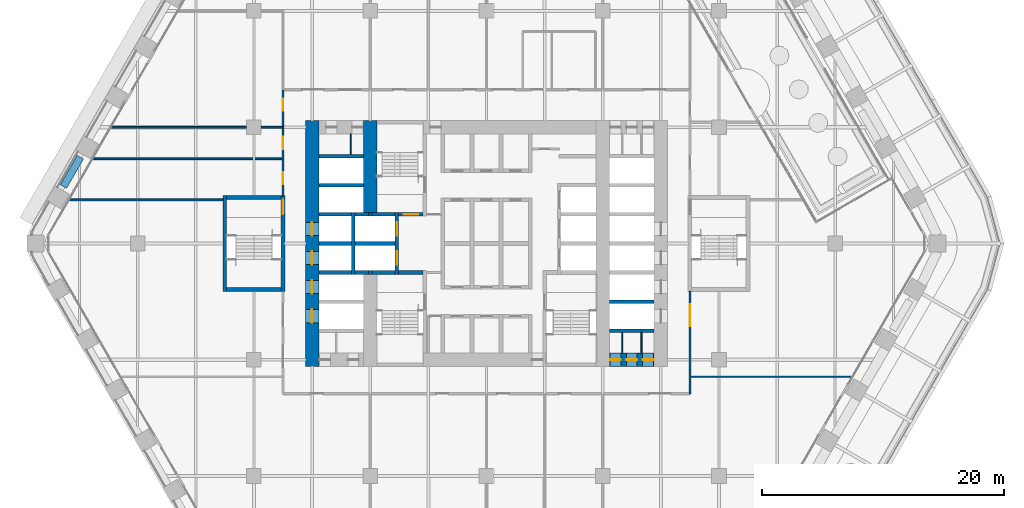
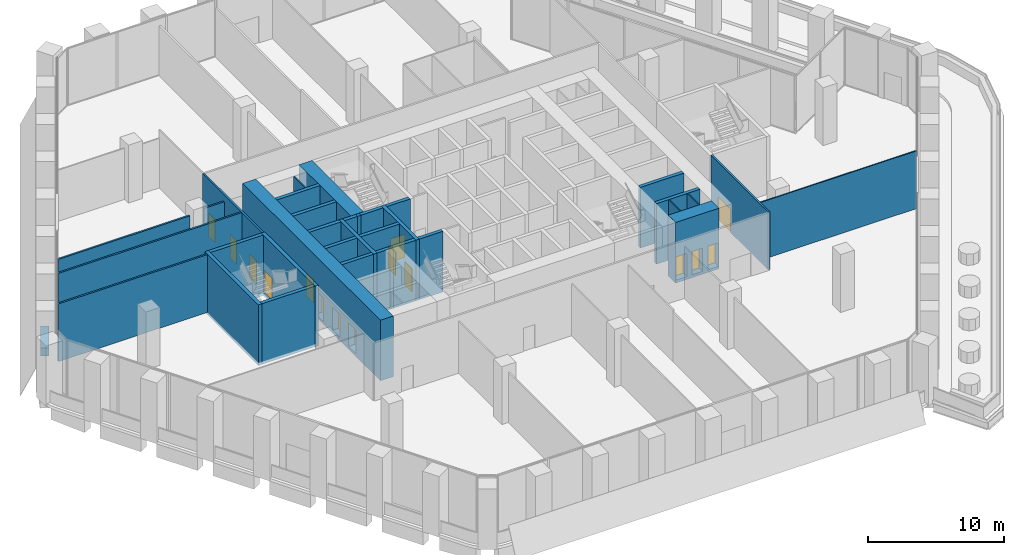
# One storey, part 21 of 32: 36 walls, 15 doors, 15 openings.
"""IFC4 building model written with IfcOpenShell, lengths in metres."""

from ifc_helpers import new_model, si_unit, direction, frame, frame_2d, origin, place, context, subcontext, project, spatial, rectangle, extrude, material, layer, layer_set, type_object, element, fill, save


model = new_model("IFC4")

# Units and contexts
model_context = context("Model", 3, precision=1e-05, world=origin(), true_north=direction((0.0, 1.0)))
body_context = subcontext(model_context, "Body", "Model", "MODEL_VIEW")
ifc_project = project(units=[si_unit("LENGTHUNIT", "METRE"), si_unit("AREAUNIT", "SQUARE_METRE"), si_unit("VOLUMEUNIT", "CUBIC_METRE"), si_unit("PLANEANGLEUNIT", "RADIAN"), si_unit("MASSUNIT", "GRAM", prefix="KILO")], contexts=[model_context])

# Site, building, storey
site_placement = place(None, origin())
site = spatial("IfcSite", under=ifc_project, at=site_placement, CompositionType="ELEMENT")
building_placement = place(site_placement, origin())
building = spatial("IfcBuilding", under=site, at=building_placement, Name="Kolab Exchange Tower", CompositionType="ELEMENT")
storey_placement = place(building_placement, frame((0.0, 0.0, 60.89990234375)))
storey = spatial("IfcBuildingStorey", under=building, at=storey_placement, Name="L11", CompositionType="ELEMENT", Elevation=60.89990234375)

# Wall, openings, doors
ifc_material_1 = material(Name="Concrete C80/95", Category="concrete")
ifc_layer_1 = layer(ifc_material_1, 1.10009765625)
ifc_layer_set_1 = layer_set([ifc_layer_1], Name="Concrete C80/95")
wall_type_1 = type_object("IfcWallType", Name="CORE WALL 1100 C80/95", PredefinedType="SHEAR", material=ifc_layer_set_1)
wall_1_placement = place(storey_placement, frame((10.14990234375, -9.60009765625, -0.25), z_axis=(0.0, 0.0, 1.0), x_axis=(1.0, 0.0, 0.0)))
wall_1 = element("IfcWall", 1, at=wall_1_placement, inside=storey, type_object=wall_type_1, Name="wall/L11/core/004", PredefinedType="SHEAR", context=body_context, shape_type="SweptSolid", body=[
    extrude(rectangle(XDim=3.7001953125, YDim=1.10009765625, at=frame_2d((1.85009765625, 0.0))), origin(), (0.0, 0.0, 1.0), 5.4501953125),
])
opening_1_placement = place(wall_1_placement, frame((0.050048828125, 0.0, 0.25)))
opening_1 = element("IfcOpeningElement", 2, at=opening_1_placement, cuts=wall_1, Name="Opening D6-138", PredefinedType="OPENING", context=body_context, shape_type="SweptSolid", body=[
    extrude(rectangle(XDim=0.89990234375, YDim=2.10009765625, at=frame_2d((0.449951171875, 1.050048828125))), frame((0.0, 0.56005859375, 0.0), z_axis=(0.0, -1.0, 0.0), x_axis=(1.0, 0.0, 0.0)), (0.0, 0.0, 1.0), 1.1201171875),
])
opening_2_placement = place(wall_1_placement, frame((1.39990234375, 0.0, 0.25)))
opening_2 = element("IfcOpeningElement", 3, at=opening_2_placement, cuts=wall_1, Name="Opening D6-139", PredefinedType="OPENING", context=body_context, shape_type="SweptSolid", body=[
    extrude(rectangle(XDim=0.89990234375, YDim=2.10009765625, at=frame_2d((0.449951171875, 1.050048828125))), frame((0.0, 0.56005859375, 0.0), z_axis=(0.0, -1.0, 0.0), x_axis=(1.0, 0.0, 0.0)), (0.0, 0.0, 1.0), 1.1201171875),
])
opening_3_placement = place(wall_1_placement, frame((2.75, 0.0, 0.25)))
opening_3 = element("IfcOpeningElement", 4, at=opening_3_placement, cuts=wall_1, Name="Opening D6-140", PredefinedType="OPENING", context=body_context, shape_type="SweptSolid", body=[
    extrude(rectangle(XDim=0.89990234375, YDim=2.10009765625, at=frame_2d((0.449951171875, 1.050048828125))), frame((0.0, 0.56005859375, 0.0), z_axis=(0.0, -1.0, 0.0), x_axis=(1.0, 0.0, 0.0)), (0.0, 0.0, 1.0), 1.1201171875),
])
ifc_material_2 = material(Name="Steel S235", Category="steel")
door_type_1 = type_object("IfcDoorType", Name="CORE DOOR 900 EI 120", OperationType="SINGLE_SWING_LEFT", PredefinedType="DOOR", material=ifc_material_2)
door_1_placement = place(opening_1_placement, origin())
door_1 = element("IfcDoor", 5, at=door_1_placement, inside=storey, type_object=door_type_1, Name="Service room door", OperationType="SINGLE_SWING_RIGHT", OverallHeight=2.10009765625, OverallWidth=0.89990234375, PredefinedType="DOOR", context=body_context, shape_type="SweptSolid", body=[
    extrude(rectangle(XDim=0.89990234375, YDim=2.10009765625, at=frame_2d((0.449951171875, 1.050048828125))), frame((0.0, 0.02490234375, 0.0), z_axis=(0.0, -1.0, 0.0), x_axis=(1.0, 0.0, 0.0)), (0.0, 0.0, 1.0), 0.050048828125),
])
fill(opening_1, door_1)
door_2_placement = place(opening_2_placement, origin())
door_2 = element("IfcDoor", 6, at=door_2_placement, inside=storey, type_object=door_type_1, Name="Service room door", OperationType="SINGLE_SWING_LEFT", OverallHeight=2.10009765625, OverallWidth=0.89990234375, PredefinedType="DOOR", context=body_context, shape_type="SweptSolid", body=[
    extrude(rectangle(XDim=0.89990234375, YDim=2.10009765625, at=frame_2d((0.449951171875, 1.050048828125))), frame((0.0, 0.02490234375, 0.0), z_axis=(0.0, -1.0, 0.0), x_axis=(1.0, 0.0, 0.0)), (0.0, 0.0, 1.0), 0.050048828125),
])
fill(opening_2, door_2)
door_3_placement = place(opening_3_placement, origin())
door_3 = element("IfcDoor", 7, at=door_3_placement, inside=storey, type_object=door_type_1, Name="Service room door", OperationType="SINGLE_SWING_LEFT", OverallHeight=2.10009765625, OverallWidth=0.89990234375, PredefinedType="DOOR", context=body_context, shape_type="SweptSolid", body=[
    extrude(rectangle(XDim=0.89990234375, YDim=2.10009765625, at=frame_2d((0.449951171875, 1.050048828125))), frame((0.0, 0.02490234375, 0.0), z_axis=(0.0, -1.0, 0.0), x_axis=(1.0, 0.0, 0.0)), (0.0, 0.0, 1.0), 0.050048828125),
])
fill(opening_3, door_3)

wall_2_placement = place(storey_placement, frame((-14.39990234375, -10.14990234375, -0.25), z_axis=(0.0, 0.0, 1.0), x_axis=(0.0, 1.0, 0.0)))
wall_2 = element("IfcWall", 8, at=wall_2_placement, inside=storey, type_object=wall_type_1, Name="wall/L11/core/057", PredefinedType="SHEAR", context=body_context, shape_type="SweptSolid", body=[
    extrude(rectangle(XDim=20.2998046875, YDim=1.10009765625, at=frame_2d((10.14990234375, 0.0))), origin(), (0.0, 0.0, 1.0), 5.4501953125),
])
opening_4_placement = place(wall_2_placement, frame((3.60009765625, 0.0, 0.25)))
opening_4 = element("IfcOpeningElement", 9, at=opening_4_placement, cuts=wall_2, Name="Opening LD1-049", PredefinedType="OPENING", context=body_context, shape_type="SweptSolid", body=[
    extrude(rectangle(XDim=1.10009765625, YDim=2.10009765625, at=frame_2d((0.550048828125, 1.050048828125))), frame((0.0, 0.56005859375, 0.0), z_axis=(0.0, -1.0, 0.0), x_axis=(1.0, 0.0, 0.0)), (0.0, 0.0, 1.0), 1.1201171875),
])
opening_5_placement = place(wall_2_placement, frame((6.0, 0.0, 0.25)))
opening_5 = element("IfcOpeningElement", 10, at=opening_5_placement, cuts=wall_2, Name="Opening LD1-050", PredefinedType="OPENING", context=body_context, shape_type="SweptSolid", body=[
    extrude(rectangle(XDim=1.10009765625, YDim=2.10009765625, at=frame_2d((0.550048828125, 1.050048828125))), frame((0.0, 0.56005859375, 0.0), z_axis=(0.0, -1.0, 0.0), x_axis=(1.0, 0.0, 0.0)), (0.0, 0.0, 1.0), 1.1201171875),
])
opening_6_placement = place(wall_2_placement, frame((8.39990234375, 0.0, 0.25)))
opening_6 = element("IfcOpeningElement", 11, at=opening_6_placement, cuts=wall_2, Name="Opening LD1-051", PredefinedType="OPENING", context=body_context, shape_type="SweptSolid", body=[
    extrude(rectangle(XDim=1.10009765625, YDim=2.10009765625, at=frame_2d((0.550048828125, 1.050048828125))), frame((0.0, 0.56005859375, 0.0), z_axis=(0.0, -1.0, 0.0), x_axis=(1.0, 0.0, 0.0)), (0.0, 0.0, 1.0), 1.1201171875),
])
opening_7_placement = place(wall_2_placement, frame((10.800048828125, 0.0, 0.25)))
opening_7 = element("IfcOpeningElement", 12, at=opening_7_placement, cuts=wall_2, Name="Opening LD1-052", PredefinedType="OPENING", context=body_context, shape_type="SweptSolid", body=[
    extrude(rectangle(XDim=1.10009765625, YDim=2.10009765625, at=frame_2d((0.550048828125, 1.050048828125))), frame((0.0, 0.56005859375, 0.0), z_axis=(0.0, -1.0, 0.0), x_axis=(1.0, 0.0, 0.0)), (0.0, 0.0, 1.0), 1.1201171875),
])
ifc_material_3 = material(Name="Stainless steel 316", Category="steel")
door_type_2 = type_object("IfcDoorType", Name="LANDING DOOR 1100 PASSENGER", OperationType="DOUBLE_DOOR_SLIDING", PredefinedType="DOOR", material=ifc_material_3)
door_4_placement = place(opening_4_placement, origin())
door_4 = element("IfcDoor", 13, at=door_4_placement, inside=storey, type_object=door_type_2, Name="Landing door LR5", OperationType="DOUBLE_DOOR_SLIDING", OverallHeight=2.10009765625, OverallWidth=1.10009765625, PredefinedType="DOOR", context=body_context, shape_type="SweptSolid", body=[
    extrude(rectangle(XDim=1.10009765625, YDim=2.10009765625, at=frame_2d((0.550048828125, 1.050048828125))), frame((0.0, 0.02490234375, 0.0), z_axis=(0.0, -1.0, 0.0), x_axis=(1.0, 0.0, 0.0)), (0.0, 0.0, 1.0), 0.050048828125),
])
fill(opening_4, door_4)
door_5_placement = place(opening_5_placement, origin())
door_5 = element("IfcDoor", 14, at=door_5_placement, inside=storey, type_object=door_type_2, Name="Landing door LR6", OperationType="DOUBLE_DOOR_SLIDING", OverallHeight=2.10009765625, OverallWidth=1.10009765625, PredefinedType="DOOR", context=body_context, shape_type="SweptSolid", body=[
    extrude(rectangle(XDim=1.10009765625, YDim=2.10009765625, at=frame_2d((0.550048828125, 1.050048828125))), frame((0.0, 0.02490234375, 0.0), z_axis=(0.0, -1.0, 0.0), x_axis=(1.0, 0.0, 0.0)), (0.0, 0.0, 1.0), 0.050048828125),
])
fill(opening_5, door_5)
door_6_placement = place(opening_6_placement, origin())
door_6 = element("IfcDoor", 15, at=door_6_placement, inside=storey, type_object=door_type_2, Name="Landing door LR7", OperationType="DOUBLE_DOOR_SLIDING", OverallHeight=2.10009765625, OverallWidth=1.10009765625, PredefinedType="DOOR", context=body_context, shape_type="SweptSolid", body=[
    extrude(rectangle(XDim=1.10009765625, YDim=2.10009765625, at=frame_2d((0.550048828125, 1.050048828125))), frame((0.0, 0.02490234375, 0.0), z_axis=(0.0, -1.0, 0.0), x_axis=(1.0, 0.0, 0.0)), (0.0, 0.0, 1.0), 0.050048828125),
])
fill(opening_6, door_6)
door_7_placement = place(opening_7_placement, origin())
door_7 = element("IfcDoor", 16, at=door_7_placement, inside=storey, type_object=door_type_2, Name="Landing door LR8", OperationType="DOUBLE_DOOR_SLIDING", OverallHeight=2.10009765625, OverallWidth=1.10009765625, PredefinedType="DOOR", context=body_context, shape_type="SweptSolid", body=[
    extrude(rectangle(XDim=1.10009765625, YDim=2.10009765625, at=frame_2d((0.550048828125, 1.050048828125))), frame((0.0, 0.02490234375, 0.0), z_axis=(0.0, -1.0, 0.0), x_axis=(1.0, 0.0, 0.0)), (0.0, 0.0, 1.0), 0.050048828125),
])
fill(opening_7, door_7)

# Walls
wall_3_placement = place(storey_placement, frame((-9.60009765625, 2.550048828125, -0.25), z_axis=(0.0, 0.0, 1.0), x_axis=(0.0, 1.0, 0.0)))
element("IfcWall", 17, at=wall_3_placement, inside=storey, type_object=wall_type_1, Name="wall/L11/core/062", PredefinedType="SHEAR", context=body_context, shape_type="SweptSolid", body=[
    extrude(rectangle(XDim=7.599853515625, YDim=1.10009765625, at=frame_2d((3.7998046875, 0.0))), origin(), (0.0, 0.0, 1.0), 5.4501953125),
])
ifc_material_4 = material(Name="Concrete C50/60", Category="concrete")
ifc_layer_2 = layer(ifc_material_4, 0.300048828125)
ifc_layer_set_2 = layer_set([ifc_layer_2], Name="Concrete C50/60")
wall_type_2 = type_object("IfcWallType", Name="LIFT SHAFT WALL 300 C50/60", PredefinedType="STANDARD", material=ifc_layer_set_2)
for number, where, z_axis, x_axis, name in (
    (18, (10.14990234375, -7.199951171875, -0.25), (0.0, 0.0, 1.0), (1.0, 0.0, 0.0), "wall/L11/core/006"),
    (19, (10.14990234375, -4.800048828125, -0.25), (0.0, 0.0, 1.0), (1.0, 0.0, 0.0), "wall/L11/core/011"),
):
    element("IfcWall", number, at=place(storey_placement, frame(where, z_axis=z_axis, x_axis=x_axis)), inside=storey, type_object=wall_type_2, Name=name, PredefinedType="STANDARD", context=body_context, shape_type="SweptSolid", body=[
        extrude(rectangle(XDim=3.7001953125, YDim=0.300048828125, at=frame_2d((1.85009765625, 0.0))), origin(), (0.0, 0.0, 1.0), 5.4501953125),
    ])
wall_4_placement = place(storey_placement, frame((-13.85009765625, -2.39990234375, -0.25), z_axis=(0.0, 0.0, 1.0), x_axis=(1.0, 0.0, 0.0)))
element("IfcWall", 20, at=wall_4_placement, inside=storey, type_object=wall_type_2, Name="wall/L11/core/017", PredefinedType="STANDARD", context=body_context, shape_type="SweptSolid", body=[
    extrude(rectangle(XDim=2.7001953125, YDim=0.300048828125, at=frame_2d((1.35009765625, 0.0))), origin(), (0.0, 0.0, 1.0), 5.4501953125),
])
wall_5_placement = place(storey_placement, frame((-10.85009765625, -2.39990234375, -0.25), z_axis=(0.0, 0.0, 1.0), x_axis=(1.0, 0.0, 0.0)))
element("IfcWall", 21, at=wall_5_placement, inside=storey, type_object=wall_type_2, Name="wall/L11/core/018", PredefinedType="STANDARD", context=body_context, shape_type="SweptSolid", body=[
    extrude(rectangle(XDim=1.10009765625, YDim=0.300048828125, at=frame_2d((0.550048828125, 0.0))), origin(), (0.0, 0.0, 1.0), 5.4501953125),
])
wall_6_placement = place(storey_placement, frame((-13.85009765625, 0.0, -0.25), z_axis=(0.0, 0.0, 1.0), x_axis=(1.0, 0.0, 0.0)))
element("IfcWall", 22, at=wall_6_placement, inside=storey, type_object=wall_type_2, Name="wall/L11/core/024", PredefinedType="STANDARD", context=body_context, shape_type="SweptSolid", body=[
    extrude(rectangle(XDim=2.7001953125, YDim=0.300048828125, at=frame_2d((1.35009765625, 0.0))), origin(), (0.0, 0.0, 1.0), 5.4501953125),
])
wall_7_placement = place(storey_placement, frame((-10.85009765625, 0.0, -0.25), z_axis=(0.0, 0.0, 1.0), x_axis=(1.0, 0.0, 0.0)))
element("IfcWall", 23, at=wall_7_placement, inside=storey, type_object=wall_type_2, Name="wall/L11/core/025", PredefinedType="STANDARD", context=body_context, shape_type="SweptSolid", body=[
    extrude(rectangle(XDim=3.300048828125, YDim=0.300048828125, at=frame_2d((1.64990234375, 0.0))), origin(), (0.0, 0.0, 1.0), 5.4501953125),
])
wall_8_placement = place(storey_placement, frame((-13.85009765625, 2.39990234375, -0.25), z_axis=(0.0, 0.0, 1.0), x_axis=(1.0, 0.0, 0.0)))
element("IfcWall", 24, at=wall_8_placement, inside=storey, type_object=wall_type_2, Name="wall/L11/core/031", PredefinedType="STANDARD", context=body_context, shape_type="SweptSolid", body=[
    extrude(rectangle(XDim=2.7001953125, YDim=0.300048828125, at=frame_2d((1.35009765625, 0.0))), origin(), (0.0, 0.0, 1.0), 5.4501953125),
])
wall_9_placement = place(storey_placement, frame((-10.85009765625, 2.39990234375, -0.25), z_axis=(0.0, 0.0, 1.0), x_axis=(1.0, 0.0, 0.0)))
element("IfcWall", 25, at=wall_9_placement, inside=storey, type_object=wall_type_2, Name="wall/L11/core/032", PredefinedType="STANDARD", context=body_context, shape_type="SweptSolid", body=[
    extrude(rectangle(XDim=1.10009765625, YDim=0.300048828125, at=frame_2d((0.550048828125, 0.0))), origin(), (0.0, 0.0, 1.0), 5.4501953125),
])
for number, where, z_axis, x_axis, name in (
    (26, (-13.85009765625, 4.800048828125, -0.25), (0.0, 0.0, 1.0), (1.0, 0.0, 0.0), "wall/L11/core/042"),
    (27, (-13.85009765625, 7.199951171875, -0.25), (0.0, 0.0, 1.0), (1.0, 0.0, 0.0), "wall/L11/core/048"),
):
    element("IfcWall", number, at=place(storey_placement, frame(where, z_axis=z_axis, x_axis=x_axis)), inside=storey, type_object=wall_type_2, Name=name, PredefinedType="STANDARD", context=body_context, shape_type="SweptSolid", body=[
        extrude(rectangle(XDim=3.7001953125, YDim=0.300048828125, at=frame_2d((1.85009765625, 0.0))), origin(), (0.0, 0.0, 1.0), 5.4501953125),
    ])
wall_10_placement = place(storey_placement, frame((-11.0, -2.550048828125, -0.25), z_axis=(0.0, 0.0, 1.0), x_axis=(0.0, 1.0, 0.0)))
element("IfcWall", 28, at=wall_10_placement, inside=storey, type_object=wall_type_2, Name="wall/L11/core/058", PredefinedType="STANDARD", context=body_context, shape_type="SweptSolid", body=[
    extrude(rectangle(XDim=5.10009765625, YDim=0.300048828125, at=frame_2d((2.550048828125, 0.0))), origin(), (0.0, 0.0, 1.0), 5.4501953125),
])

# Wall, openings, doors
wall_11_placement = place(storey_placement, frame((-7.39990234375, -2.550048828125, -0.25), z_axis=(0.0, 0.0, 1.0), x_axis=(0.0, 1.0, 0.0)))
wall_11 = element("IfcWall", 29, at=wall_11_placement, inside=storey, type_object=wall_type_2, Name="wall/L11/core/063", PredefinedType="STANDARD", context=body_context, shape_type="SweptSolid", body=[
    extrude(rectangle(XDim=5.10009765625, YDim=0.300048828125, at=frame_2d((2.550048828125, 0.0))), origin(), (0.0, 0.0, 1.0), 5.4501953125),
])
opening_8_placement = place(wall_11_placement, frame((0.800048828125, 0.0, 0.25)))
opening_8 = element("IfcOpeningElement", 30, at=opening_8_placement, cuts=wall_11, Name="Opening LD2-011", PredefinedType="OPENING", context=body_context, shape_type="SweptSolid", body=[
    extrude(rectangle(XDim=1.10009765625, YDim=2.10009765625, at=frame_2d((0.550048828125, 1.050048828125))), frame((0.0, 0.16015625, 0.0), z_axis=(0.0, -1.0, 0.0), x_axis=(1.0, 0.0, 0.0)), (0.0, 0.0, 1.0), 0.320068359375),
])
opening_9_placement = place(wall_11_placement, frame((3.199951171875, 0.0, 0.25)))
opening_9 = element("IfcOpeningElement", 31, at=opening_9_placement, cuts=wall_11, Name="Opening LD2-012", PredefinedType="OPENING", context=body_context, shape_type="SweptSolid", body=[
    extrude(rectangle(XDim=1.10009765625, YDim=2.10009765625, at=frame_2d((0.550048828125, 1.050048828125))), frame((0.0, 0.16015625, 0.0), z_axis=(0.0, -1.0, 0.0), x_axis=(1.0, 0.0, 0.0)), (0.0, 0.0, 1.0), 0.320068359375),
])
door_type_3 = type_object("IfcDoorType", Name="LANDING DOOR 1100 FIREFIGHTING", OperationType="DOUBLE_DOOR_SLIDING", PredefinedType="DOOR", material=ifc_material_3)
door_8_placement = place(opening_8_placement, origin())
door_8 = element("IfcDoor", 32, at=door_8_placement, inside=storey, type_object=door_type_3, Name="Landing door FF1", OperationType="DOUBLE_DOOR_SLIDING", OverallHeight=2.10009765625, OverallWidth=1.10009765625, PredefinedType="DOOR", context=body_context, shape_type="SweptSolid", body=[
    extrude(rectangle(XDim=1.10009765625, YDim=2.10009765625, at=frame_2d((0.550048828125, 1.050048828125))), frame((0.0, 0.02490234375, 0.0), z_axis=(0.0, -1.0, 0.0), x_axis=(1.0, 0.0, 0.0)), (0.0, 0.0, 1.0), 0.050048828125),
])
fill(opening_8, door_8)
door_9_placement = place(opening_9_placement, origin())
door_9 = element("IfcDoor", 33, at=door_9_placement, inside=storey, type_object=door_type_3, Name="Landing door FF2", OperationType="DOUBLE_DOOR_SLIDING", OverallHeight=2.10009765625, OverallWidth=1.10009765625, PredefinedType="DOOR", context=body_context, shape_type="SweptSolid", body=[
    extrude(rectangle(XDim=1.10009765625, YDim=2.10009765625, at=frame_2d((0.550048828125, 1.050048828125))), frame((0.0, 0.02490234375, 0.0), z_axis=(0.0, -1.0, 0.0), x_axis=(1.0, 0.0, 0.0)), (0.0, 0.0, 1.0), 0.050048828125),
])
fill(opening_9, door_9)

# Walls
ifc_material_5 = material(Name="Gypsum board", Category="gypsum")
ifc_layer_3 = layer(ifc_material_5, 0.10009765625)
ifc_layer_set_3 = layer_set([ifc_layer_3], Name="Gypsum board")
wall_type_3 = type_object("IfcWallType", Name="PARTITION 100", PredefinedType="PARTITIONING", material=ifc_layer_set_3)
for number, where, z_axis, x_axis, name in (
    (34, (12.800048828125, -9.050048828125, 0.0), (0.0, 0.0, 1.0), (0.0, 1.0, 0.0), "Partition 003"),
    (35, (11.199951171875, -9.050048828125, 0.0), (0.0, 0.0, 1.0), (0.0, 1.0, 0.0), "Partition 005"),
    (36, (-11.199951171875, 7.35009765625, 0.0), (0.0, 0.0, 1.0), (0.0, 1.0, 0.0), "Partition 025"),
):
    element("IfcWall", number, at=place(storey_placement, frame(where, z_axis=z_axis, x_axis=x_axis)), inside=storey, type_object=wall_type_3, Name=name, PredefinedType="PARTITIONING", context=body_context, shape_type="SweptSolid", body=[
        extrude(rectangle(XDim=1.699951171875, YDim=0.10009765625, at=frame_2d((0.85009765625, 0.0))), origin(), (0.0, 0.0, 1.0), 5.2001953125),
    ])
wall_12_placement = place(storey_placement, frame((16.800048828125, -11.0, 0.0), z_axis=(0.0, 0.0, 1.0), x_axis=(1.0, 0.0, 0.0)))
element("IfcWall", 37, at=wall_12_placement, inside=storey, type_object=wall_type_3, Name="Partition 032", PredefinedType="PARTITIONING", context=body_context, shape_type="SweptSolid", body=[
    extrude(rectangle(XDim=13.37841796875, YDim=0.10009765625, at=frame_2d((6.689208984375, 0.0))), origin(), (0.0, 0.0, 1.0), 5.2001953125),
])

# Wall, opening, door
ifc_layer_4 = layer(ifc_material_5, 0.14990234375)
ifc_layer_set_4 = layer_set([ifc_layer_4], Name="Gypsum board")
wall_type_4 = type_object("IfcWallType", Name="PARTITION 150 FIRE-RATED", PredefinedType="PARTITIONING", material=ifc_layer_set_4)
wall_13_placement = place(storey_placement, frame((16.800048828125, -12.39990234375, 0.0), z_axis=(0.0, 0.0, 1.0), x_axis=(0.0, 1.0, 0.0)))
wall_13 = element("IfcWall", 38, at=wall_13_placement, inside=storey, type_object=wall_type_4, Name="Partition 001", PredefinedType="PARTITIONING", context=body_context, shape_type="SweptSolid", body=[
    extrude(rectangle(XDim=8.449951171875, YDim=0.14990234375, at=frame_2d((4.22509765625, 0.0))), origin(), (0.0, 0.0, 1.0), 5.2001953125),
])
opening_10_placement = place(wall_13_placement, frame((5.574951171875, 0.0, 0.0)))
opening_10 = element("IfcOpeningElement", 39, at=opening_10_placement, cuts=wall_13, Name="Opening D2-035", PredefinedType="OPENING", context=body_context, shape_type="SweptSolid", body=[
    extrude(rectangle(XDim=1.800048828125, YDim=2.10009765625, at=frame_2d((0.89990234375, 1.050048828125))), frame((0.0, 0.0849609375, 0.0), z_axis=(0.0, -1.0, 0.0), x_axis=(1.0, 0.0, 0.0)), (0.0, 0.0, 1.0), 0.169921875),
])
door_type_4 = type_object("IfcDoorType", Name="DOUBLE DOOR 1800 FD60", OperationType="DOUBLE_DOOR_SINGLE_SWING", PredefinedType="DOOR", material=ifc_material_2)
door_10_placement = place(opening_10_placement, frame((1.800048828125, 0.0, 0.0), z_axis=(0.0, 0.0, 1.0), x_axis=(-1.0, 0.0, 0.0)))
door_10 = element("IfcDoor", 40, at=door_10_placement, inside=storey, type_object=door_type_4, Name="Door L11-061", OperationType="SINGLE_SWING_RIGHT", OverallHeight=2.10009765625, OverallWidth=1.800048828125, PredefinedType="DOOR", context=body_context, shape_type="SweptSolid", body=[
    extrude(rectangle(XDim=1.800048828125, YDim=2.10009765625, at=frame_2d((0.89990234375, 1.050048828125))), frame((0.0, 0.02490234375, 0.0), z_axis=(0.0, -1.0, 0.0), x_axis=(1.0, 0.0, 0.0)), (0.0, 0.0, 1.0), 0.050048828125),
])
fill(opening_10, door_10)

# Wall, openings, doors
wall_14_placement = place(storey_placement, frame((-16.800048828125, 3.949951171875, 0.0), z_axis=(0.0, 0.0, 1.0), x_axis=(0.0, 1.0, 0.0)))
wall_14 = element("IfcWall", 41, at=wall_14_placement, inside=storey, type_object=wall_type_4, Name="Partition 029", PredefinedType="PARTITIONING", context=body_context, shape_type="SweptSolid", body=[
    extrude(rectangle(XDim=8.75, YDim=0.14990234375, at=frame_2d((4.375, 0.0))), origin(), (0.0, 0.0, 1.0), 5.2001953125),
])
opening_11_placement = place(wall_14_placement, frame((0.949951171875, 0.0, 0.0)))
opening_11 = element("IfcOpeningElement", 42, at=opening_11_placement, cuts=wall_14, Name="Opening D1-141", PredefinedType="OPENING", context=body_context, shape_type="SweptSolid", body=[
    extrude(rectangle(XDim=1.0, YDim=2.10009765625, at=frame_2d((0.5, 1.050048828125))), frame((0.0, 0.0849609375, 0.0), z_axis=(0.0, -1.0, 0.0), x_axis=(1.0, 0.0, 0.0)), (0.0, 0.0, 1.0), 0.169921875),
])
opening_12_placement = place(wall_14_placement, frame((3.85009765625, 0.0, 0.0)))
opening_12 = element("IfcOpeningElement", 43, at=opening_12_placement, cuts=wall_14, Name="Opening D1-142", PredefinedType="OPENING", context=body_context, shape_type="SweptSolid", body=[
    extrude(rectangle(XDim=1.0, YDim=2.10009765625, at=frame_2d((0.5, 1.050048828125))), frame((0.0, 0.0849609375, 0.0), z_axis=(0.0, -1.0, 0.0), x_axis=(1.0, 0.0, 0.0)), (0.0, 0.0, 1.0), 0.169921875),
])
opening_13_placement = place(wall_14_placement, frame((7.02001953125, 0.0, 0.0)))
opening_13 = element("IfcOpeningElement", 44, at=opening_13_placement, cuts=wall_14, Name="Opening D1-143", PredefinedType="OPENING", context=body_context, shape_type="SweptSolid", body=[
    extrude(rectangle(XDim=1.0, YDim=2.10009765625, at=frame_2d((0.5, 1.050048828125))), frame((0.0, 0.0849609375, 0.0), z_axis=(0.0, -1.0, 0.0), x_axis=(1.0, 0.0, 0.0)), (0.0, 0.0, 1.0), 0.169921875),
])
door_type_5 = type_object("IfcDoorType", Name="FLUSH DOOR 1000 FD60", OperationType="SINGLE_SWING_LEFT", PredefinedType="DOOR", material=ifc_material_2)
door_11_placement = place(opening_11_placement, origin())
door_11 = element("IfcDoor", 45, at=door_11_placement, inside=storey, type_object=door_type_5, Name="Door L11-065", OperationType="SINGLE_SWING_RIGHT", OverallHeight=2.10009765625, OverallWidth=1.0, PredefinedType="DOOR", context=body_context, shape_type="SweptSolid", body=[
    extrude(rectangle(XDim=1.0, YDim=2.10009765625, at=frame_2d((0.5, 1.050048828125))), frame((0.0, 0.02490234375, 0.0), z_axis=(0.0, -1.0, 0.0), x_axis=(1.0, 0.0, 0.0)), (0.0, 0.0, 1.0), 0.050048828125),
])
fill(opening_11, door_11)
door_12_placement = place(opening_12_placement, origin())
door_12 = element("IfcDoor", 46, at=door_12_placement, inside=storey, type_object=door_type_5, Name="Door L11-066", OperationType="SINGLE_SWING_RIGHT", OverallHeight=2.10009765625, OverallWidth=1.0, PredefinedType="DOOR", context=body_context, shape_type="SweptSolid", body=[
    extrude(rectangle(XDim=1.0, YDim=2.10009765625, at=frame_2d((0.5, 1.050048828125))), frame((0.0, 0.02490234375, 0.0), z_axis=(0.0, -1.0, 0.0), x_axis=(1.0, 0.0, 0.0)), (0.0, 0.0, 1.0), 0.050048828125),
])
fill(opening_12, door_12)
door_13_placement = place(opening_13_placement, origin())
door_13 = element("IfcDoor", 47, at=door_13_placement, inside=storey, type_object=door_type_5, Name="Door L11-067", OperationType="SINGLE_SWING_LEFT", OverallHeight=2.10009765625, OverallWidth=1.0, PredefinedType="DOOR", context=body_context, shape_type="SweptSolid", body=[
    extrude(rectangle(XDim=1.0, YDim=2.10009765625, at=frame_2d((0.5, 1.050048828125))), frame((0.0, 0.02490234375, 0.0), z_axis=(0.0, -1.0, 0.0), x_axis=(1.0, 0.0, 0.0)), (0.0, 0.0, 1.0), 0.050048828125),
])
fill(opening_13, door_13)

# Walls
wall_15_placement = place(storey_placement, frame((-34.450927734375, 3.60009765625, 0.0), z_axis=(0.0, 0.0, 1.0), x_axis=(1.0, 0.0, 0.0)))
element("IfcWall", 48, at=wall_15_placement, inside=storey, type_object=wall_type_4, Name="Partition 034", PredefinedType="PARTITIONING", context=body_context, shape_type="SweptSolid", body=[
    extrude(rectangle(XDim=12.700927734375, YDim=0.14990234375, at=frame_2d((6.3505859375, 0.0))), origin(), (0.0, 0.0, 1.0), 5.2001953125),
])
wall_16_placement = place(storey_placement, frame((-32.48779296875, 7.0, 0.0), z_axis=(0.0, 0.0, 1.0), x_axis=(1.0, 0.0, 0.0)))
element("IfcWall", 49, at=wall_16_placement, inside=storey, type_object=wall_type_4, Name="Partition 036", PredefinedType="PARTITIONING", context=body_context, shape_type="SweptSolid", body=[
    extrude(rectangle(XDim=15.687744140625, YDim=0.14990234375, at=frame_2d((7.84375, 0.0))), origin(), (0.0, 0.0, 1.0), 5.2001953125),
])
wall_17_placement = place(storey_placement, frame((-30.98681640625, 9.60009765625, 0.0), z_axis=(0.0, 0.0, 1.0), x_axis=(1.0, 0.0, 0.0)))
element("IfcWall", 50, at=wall_17_placement, inside=storey, type_object=wall_type_4, Name="Partition 038", PredefinedType="PARTITIONING", context=body_context, shape_type="SweptSolid", body=[
    extrude(rectangle(XDim=11.186767578125, YDim=0.14990234375, at=frame_2d((5.59326171875, 0.0))), origin(), (0.0, 0.0, 1.0), 4.360107421875),
])
wall_18_placement = place(storey_placement, frame((-18.60009765625, 9.60009765625, 0.0), z_axis=(0.0, 0.0, 1.0), x_axis=(1.0, 0.0, 0.0)))
element("IfcWall", 51, at=wall_18_placement, inside=storey, type_object=wall_type_4, Name="Partition 039", PredefinedType="PARTITIONING", context=body_context, shape_type="SweptSolid", body=[
    extrude(rectangle(XDim=1.800048828125, YDim=0.14990234375, at=frame_2d((0.89990234375, 0.0))), origin(), (0.0, 0.0, 1.0), 4.592041015625),
])
ifc_material_6 = material(Name="Granite facing", Category="masonry")
ifc_layer_5 = layer(ifc_material_6, 0.0400390625)
ifc_material_7 = material(Name="Concrete C40/50 precast", Category="concrete")
ifc_layer_6 = layer(ifc_material_7, 0.56005859375)
ifc_layer_set_5 = layer_set([ifc_layer_5, ifc_layer_6], Name="Concrete C40/50 precast")
wall_type_5 = type_object("IfcWallType", Name="PLANTER BOX 600 X 700 SOIL DEPTH 550", PredefinedType="USERDEFINED", material=ifc_layer_set_5)
wall_19_placement = place(storey_placement, frame((-34.93701171875, 4.697998046875, 0.0), z_axis=(0.0, 0.0, 1.0), x_axis=(0.49998411664, 0.866034573852, 0.0)))
element("IfcWall", 52, at=wall_19_placement, inside=storey, type_object=wall_type_5, Name="Planter", ObjectType="PLANTER", PredefinedType="USERDEFINED", context=body_context, shape_type="SweptSolid", body=[
    extrude(rectangle(XDim=2.7998046875, YDim=0.60009765625, at=frame_2d((1.39990234375, 0.0))), origin(), (0.0, 0.0, 1.0), 0.7001953125),
])
ifc_layer_7 = layer(ifc_material_4, 0.300048828125)
ifc_layer_set_6 = layer_set([ifc_layer_7], Name="Concrete C50/60")
wall_type_6 = type_object("IfcWallType", Name="STAIR ENCLOSURE WALL 300 C50/60", PredefinedType="STANDARD", material=ifc_layer_set_6)
wall_20_placement = place(storey_placement, frame((-21.449951171875, -3.800048828125, -0.25), z_axis=(0.0, 0.0, 1.0), x_axis=(1.0, 0.0, 0.0)))
element("IfcWall", 53, at=wall_20_placement, inside=storey, type_object=wall_type_6, Name="wall/L11/core/012", PredefinedType="STANDARD", context=body_context, shape_type="SweptSolid", body=[
    extrude(rectangle(XDim=4.5, YDim=0.300048828125, at=frame_2d((2.25, 0.0))), origin(), (0.0, 0.0, 1.0), 5.4501953125),
])
wall_21_placement = place(storey_placement, frame((-9.449951171875, -2.39990234375, -0.25), z_axis=(0.0, 0.0, 1.0), x_axis=(1.0, 0.0, 0.0)))
element("IfcWall", 54, at=wall_21_placement, inside=storey, type_object=wall_type_6, Name="wall/L11/core/019", PredefinedType="STANDARD", context=body_context, shape_type="SweptSolid", body=[
    extrude(rectangle(XDim=1.89990234375, YDim=0.300048828125, at=frame_2d((0.949951171875, 0.0))), origin(), (0.0, 0.0, 1.0), 5.4501953125),
])
wall_22_placement = place(storey_placement, frame((-7.25, -2.39990234375, -0.25), z_axis=(0.0, 0.0, 1.0), x_axis=(1.0, 0.0, 0.0)))
element("IfcWall", 55, at=wall_22_placement, inside=storey, type_object=wall_type_6, Name="wall/L11/core/020", PredefinedType="STANDARD", context=body_context, shape_type="SweptSolid", body=[
    extrude(rectangle(XDim=2.0, YDim=0.300048828125, at=frame_2d((1.0, 0.0))), origin(), (0.0, 0.0, 1.0), 5.4501953125),
])
wall_23_placement = place(storey_placement, frame((-9.449951171875, 2.39990234375, -0.25), z_axis=(0.0, 0.0, 1.0), x_axis=(1.0, 0.0, 0.0)))
element("IfcWall", 56, at=wall_23_placement, inside=storey, type_object=wall_type_6, Name="wall/L11/core/033", PredefinedType="STANDARD", context=body_context, shape_type="SweptSolid", body=[
    extrude(rectangle(XDim=1.89990234375, YDim=0.300048828125, at=frame_2d((0.949951171875, 0.0))), origin(), (0.0, 0.0, 1.0), 5.4501953125),
])

# Wall, opening, door
wall_24_placement = place(storey_placement, frame((-7.25, 2.39990234375, -0.25), z_axis=(0.0, 0.0, 1.0), x_axis=(1.0, 0.0, 0.0)))
wall_24 = element("IfcWall", 57, at=wall_24_placement, inside=storey, type_object=wall_type_6, Name="wall/L11/core/034", PredefinedType="STANDARD", context=body_context, shape_type="SweptSolid", body=[
    extrude(rectangle(XDim=2.0, YDim=0.300048828125, at=frame_2d((1.0, 0.0))), origin(), (0.0, 0.0, 1.0), 5.4501953125),
])
opening_14_placement = place(wall_24_placement, frame((0.39990234375, 0.0, 0.25)))
opening_14 = element("IfcOpeningElement", 58, at=opening_14_placement, cuts=wall_24, Name="Opening D4-025", PredefinedType="OPENING", context=body_context, shape_type="SweptSolid", body=[
    extrude(rectangle(XDim=1.199951171875, YDim=2.10009765625, at=frame_2d((0.60009765625, 1.050048828125))), frame((0.0, 0.16015625, 0.0), z_axis=(0.0, -1.0, 0.0), x_axis=(1.0, 0.0, 0.0)), (0.0, 0.0, 1.0), 0.320068359375),
])
door_type_6 = type_object("IfcDoorType", Name="STAIR DOOR 1200 EI 120", OperationType="SINGLE_SWING_LEFT", PredefinedType="DOOR", material=ifc_material_2)
door_14_placement = place(opening_14_placement, origin())
door_14 = element("IfcDoor", 59, at=door_14_placement, inside=storey, type_object=door_type_6, Name="Stair 1 door", OperationType="SINGLE_SWING_RIGHT", OverallHeight=2.10009765625, OverallWidth=1.199951171875, PredefinedType="DOOR", context=body_context, shape_type="SweptSolid", body=[
    extrude(rectangle(XDim=1.199951171875, YDim=2.10009765625, at=frame_2d((0.60009765625, 1.050048828125))), frame((0.0, 0.02490234375, 0.0), z_axis=(0.0, -1.0, 0.0), x_axis=(1.0, 0.0, 0.0)), (0.0, 0.0, 1.0), 0.050048828125),
])
fill(opening_14, door_14)

# Walls
wall_25_placement = place(storey_placement, frame((-21.449951171875, 3.800048828125, -0.25), z_axis=(0.0, 0.0, 1.0), x_axis=(1.0, 0.0, 0.0)))
element("IfcWall", 60, at=wall_25_placement, inside=storey, type_object=wall_type_6, Name="wall/L11/core/040", PredefinedType="STANDARD", context=body_context, shape_type="SweptSolid", body=[
    extrude(rectangle(XDim=4.5, YDim=0.300048828125, at=frame_2d((2.25, 0.0))), origin(), (0.0, 0.0, 1.0), 5.4501953125),
])
wall_26_placement = place(storey_placement, frame((-21.60009765625, -3.949951171875, -0.25), z_axis=(0.0, 0.0, 1.0), x_axis=(0.0, 1.0, 0.0)))
element("IfcWall", 61, at=wall_26_placement, inside=storey, type_object=wall_type_6, Name="wall/L11/core/055", PredefinedType="STANDARD", context=body_context, shape_type="SweptSolid", body=[
    extrude(rectangle(XDim=7.89990234375, YDim=0.300048828125, at=frame_2d((3.949951171875, 0.0))), origin(), (0.0, 0.0, 1.0), 5.4501953125),
])

# Wall, opening, door
wall_27_placement = place(storey_placement, frame((-16.800048828125, -3.949951171875, -0.25), z_axis=(0.0, 0.0, 1.0), x_axis=(0.0, 1.0, 0.0)))
wall_27 = element("IfcWall", 62, at=wall_27_placement, inside=storey, type_object=wall_type_6, Name="wall/L11/core/056", PredefinedType="STANDARD", context=body_context, shape_type="SweptSolid", body=[
    extrude(rectangle(XDim=7.89990234375, YDim=0.300048828125, at=frame_2d((3.949951171875, 0.0))), origin(), (0.0, 0.0, 1.0), 5.4501953125),
])
opening_15_placement = place(wall_27_placement, frame((6.35009765625, 0.0, 0.25)))
opening_15 = element("IfcOpeningElement", 63, at=opening_15_placement, cuts=wall_27, Name="Opening D4-030", PredefinedType="OPENING", context=body_context, shape_type="SweptSolid", body=[
    extrude(rectangle(XDim=1.199951171875, YDim=2.10009765625, at=frame_2d((0.60009765625, 1.050048828125))), frame((0.0, 0.16015625, 0.0), z_axis=(0.0, -1.0, 0.0), x_axis=(1.0, 0.0, 0.0)), (0.0, 0.0, 1.0), 0.320068359375),
])
door_15_placement = place(opening_15_placement, origin())
door_15 = element("IfcDoor", 64, at=door_15_placement, inside=storey, type_object=door_type_6, Name="Stair 5 door", OperationType="SINGLE_SWING_RIGHT", OverallHeight=2.10009765625, OverallWidth=1.199951171875, PredefinedType="DOOR", context=body_context, shape_type="SweptSolid", body=[
    extrude(rectangle(XDim=1.199951171875, YDim=2.10009765625, at=frame_2d((0.60009765625, 1.050048828125))), frame((0.0, 0.02490234375, 0.0), z_axis=(0.0, -1.0, 0.0), x_axis=(1.0, 0.0, 0.0)), (0.0, 0.0, 1.0), 0.050048828125),
])
fill(opening_15, door_15)

# Walls
for number, where, z_axis, x_axis, name in (
    (65, (-9.60009765625, -2.550048828125, -0.25), (0.0, 0.0, 1.0), (0.0, 1.0, 0.0), "wall/L11/core/060"),
    (66, (-9.60009765625, 2.25, -0.25), (0.0, 0.0, 1.0), (0.0, 1.0, 0.0), "wall/L11/core/061"),
):
    element("IfcWall", number, at=place(storey_placement, frame(where, z_axis=z_axis, x_axis=x_axis)), inside=storey, type_object=wall_type_6, Name=name, PredefinedType="STANDARD", context=body_context, shape_type="SweptSolid", body=[
        extrude(rectangle(XDim=0.300048828125, YDim=0.300048828125, at=frame_2d((0.14990234375, 0.0))), origin(), (0.0, 0.0, 1.0), 5.4501953125),
    ])

save(model, "model.ifc")
